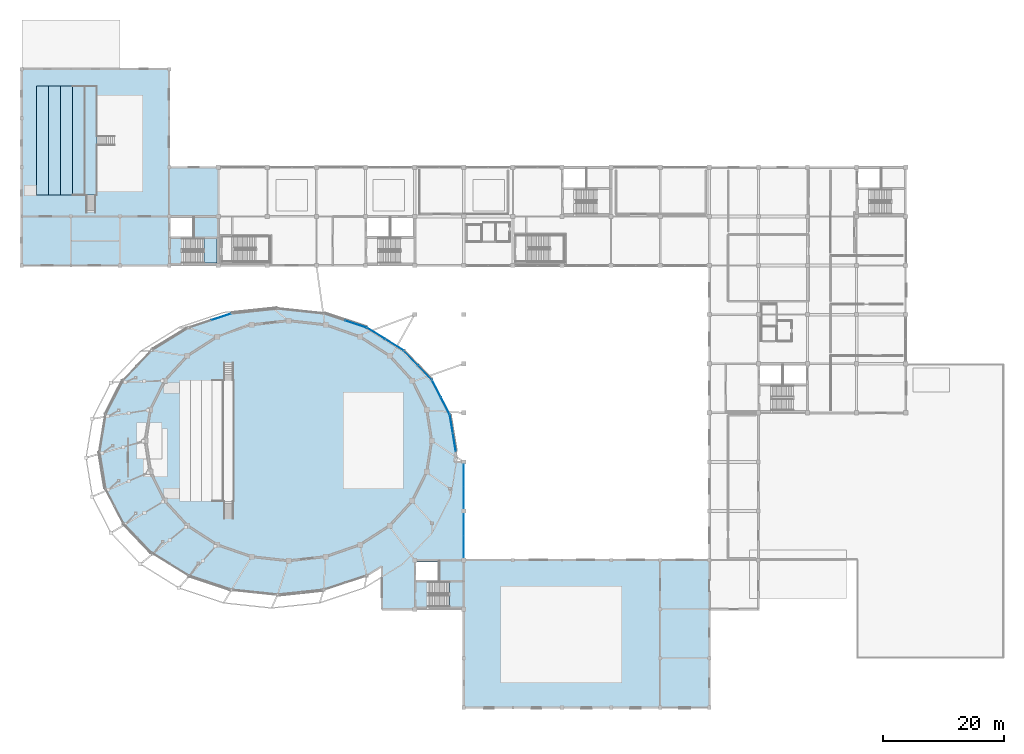
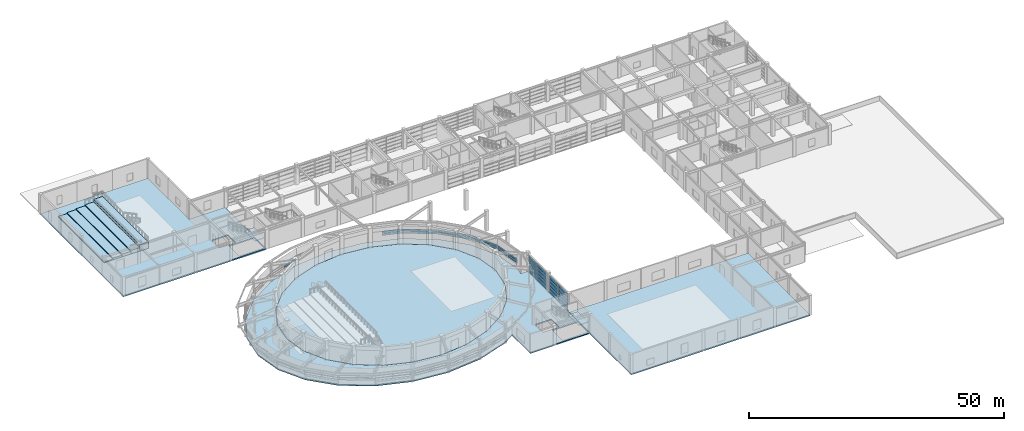
# One storey, part 32 of 56: 39 plates, 11 slabs, 10 elements without a shape of their own.
"""IFC4 building model written with IfcOpenShell, lengths in metres."""

from ifc_helpers import new_model, si_unit, direction, frame, origin, origin_2d, place, context, subcontext, project, spatial, polyline, rectangle, outline, extrude, material, layer, layer_set, type_object, element, aggregate, save


model = new_model("IFC4")

# Units and contexts
model_context = context("Model", 3, precision=1e-05, world=origin(), true_north=direction((0.0, 1.0)))
body_context = subcontext(model_context, "Body", "Model", "MODEL_VIEW")
ifc_project = project(units=[si_unit("LENGTHUNIT", "METRE"), si_unit("AREAUNIT", "SQUARE_METRE"), si_unit("VOLUMEUNIT", "CUBIC_METRE"), si_unit("PLANEANGLEUNIT", "RADIAN"), si_unit("MASSUNIT", "GRAM", prefix="KILO")], contexts=[model_context])

# Site, building, storey
site_placement = place(None, origin())
site = spatial("IfcSite", under=ifc_project, at=site_placement, CompositionType="ELEMENT")
building_placement = place(site_placement, origin())
building = spatial("IfcBuilding", under=site, at=building_placement, Name="Parian Resonance Hall", CompositionType="ELEMENT")
storey_placement = place(building_placement, frame((0.0, 0.0, 5.39990234375)))
storey = spatial("IfcBuildingStorey", under=building, at=storey_placement, Name="L01", CompositionType="ELEMENT", Elevation=5.39990234375)

# Curtain wall, plates
ifc_material_1 = material(Name="Bronze-anodised aluminium frame", Category="aluminium")
curtain_wall_type_1 = type_object("IfcCurtainWallType", Name="CW-SYS-03", PredefinedType="NOTDEFINED", material=ifc_material_1)
curtain_wall_1_placement = place(storey_placement, origin())
curtain_wall_1 = element("IfcCurtainWall", 1, at=curtain_wall_1_placement, inside=storey, type_object=curtain_wall_type_1, Name="Elliptical R1 recessed strip curtain wall 03", PredefinedType="NOTDEFINED")
ifc_material_2 = material(Name="Acoustic laminated double glazing", Category="glass")
ifc_layer_1 = layer(ifc_material_2, 0.02197265625)
ifc_layer_set_1 = layer_set([ifc_layer_1], Name="Acoustic laminated double glazing")
plate_type_1 = type_object("IfcPlateType", Name="CWP-IGU22", PredefinedType="CURTAIN_PANEL", material=ifc_layer_set_1)
plate_1_placement = place(storey_placement, frame((64.168212890625, 57.654052734375, 1.20703125), z_axis=(0.0, 0.0, 1.0), x_axis=(0.69099158608, -0.722862800238, 0.0)))
plate_1 = element("IfcPlate", 2, at=plate_1_placement, type_object=plate_type_1, Name="CW-03 panel 1.1", PredefinedType="CURTAIN_PANEL", context=body_context, shape_type="SweptSolid", body=[
    extrude(rectangle(XDim=3.283203125, YDim=0.02197265625, at=origin_2d()), origin(), (0.0, 0.0, 1.0), 0.510498046875),
])
plate_2_placement = place(storey_placement, frame((64.168212890625, 57.654052734375, 1.78271484375), z_axis=(0.0, 0.0, 1.0), x_axis=(0.69099158608, -0.722862800238, 0.0)))
plate_2 = element("IfcPlate", 3, at=plate_2_placement, type_object=plate_type_1, Name="CW-03 panel 1.2", PredefinedType="CURTAIN_PANEL", context=body_context, shape_type="SweptSolid", body=[
    extrude(rectangle(XDim=3.283203125, YDim=0.02197265625, at=origin_2d()), origin(), (0.0, 0.0, 1.0), 0.512451171875),
])
plate_3_placement = place(storey_placement, frame((66.48193359375, 55.233642578125, 1.20703125), z_axis=(0.0, 0.0, 1.0), x_axis=(0.69099158608, -0.722862800238, 0.0)))
plate_3 = element("IfcPlate", 4, at=plate_3_placement, type_object=plate_type_1, Name="CW-03 panel 2.1", PredefinedType="CURTAIN_PANEL", context=body_context, shape_type="SweptSolid", body=[
    extrude(rectangle(XDim=3.283203125, YDim=0.02197265625, at=origin_2d()), origin(), (0.0, 0.0, 1.0), 0.510498046875),
])
plate_4_placement = place(storey_placement, frame((66.48193359375, 55.233642578125, 1.78271484375), z_axis=(0.0, 0.0, 1.0), x_axis=(0.69099158608, -0.722862800238, 0.0)))
plate_4 = element("IfcPlate", 5, at=plate_4_placement, type_object=plate_type_1, Name="CW-03 panel 2.2", PredefinedType="CURTAIN_PANEL", context=body_context, shape_type="SweptSolid", body=[
    extrude(rectangle(XDim=3.283203125, YDim=0.02197265625, at=origin_2d()), origin(), (0.0, 0.0, 1.0), 0.512451171875),
])
aggregate(curtain_wall_1, [plate_1, plate_2, plate_3, plate_4])

ifc_material_3 = material(Name="Bronze-anodised aluminium frame", Category="aluminium")
curtain_wall_type_2 = type_object("IfcCurtainWallType", Name="CW-SYS-05", PredefinedType="NOTDEFINED", material=ifc_material_3)
curtain_wall_2_placement = place(storey_placement, origin())
curtain_wall_2 = element("IfcCurtainWall", 6, at=curtain_wall_2_placement, inside=storey, type_object=curtain_wall_type_2, Name="Curtain wall CW-L01-135", PredefinedType="NOTDEFINED")
plate_5_placement = place(storey_placement, frame((72.89990234375, 38.24365234375, 0.05712890625), z_axis=(0.0, 0.0, 1.0), x_axis=(0.0, -1.0, 0.0)))
plate_5 = element("IfcPlate", 7, at=plate_5_placement, type_object=plate_type_1, Name="CW-05 panel 1.1", PredefinedType="CURTAIN_PANEL", context=body_context, shape_type="SweptSolid", body=[
    extrude(rectangle(XDim=3.5224609375, YDim=0.02197265625, at=origin_2d()), origin(), (0.0, 0.0, 1.0), 0.743896484375),
])
plate_6_placement = place(storey_placement, frame((72.89990234375, 38.24365234375, 0.8662109375), z_axis=(0.0, 0.0, 1.0), x_axis=(0.0, -1.0, 0.0)))
plate_6 = element("IfcPlate", 8, at=plate_6_placement, type_object=plate_type_1, Name="CW-05 panel 1.2", PredefinedType="CURTAIN_PANEL", context=body_context, shape_type="SweptSolid", body=[
    extrude(rectangle(XDim=3.5224609375, YDim=0.02197265625, at=origin_2d()), origin(), (0.0, 0.0, 1.0), 0.768310546875),
])
plate_7_placement = place(storey_placement, frame((72.89990234375, 38.24365234375, 1.69921875), z_axis=(0.0, 0.0, 1.0), x_axis=(0.0, -1.0, 0.0)))
plate_7 = element("IfcPlate", 9, at=plate_7_placement, type_object=plate_type_1, Name="CW-05 panel 1.3", PredefinedType="CURTAIN_PANEL", context=body_context, shape_type="SweptSolid", body=[
    extrude(rectangle(XDim=3.5224609375, YDim=0.02197265625, at=origin_2d()), origin(), (0.0, 0.0, 1.0), 0.768310546875),
])
plate_8_placement = place(storey_placement, frame((72.89990234375, 38.24365234375, 2.53271484375), z_axis=(0.0, 0.0, 1.0), x_axis=(0.0, -1.0, 0.0)))
plate_8 = element("IfcPlate", 10, at=plate_8_placement, type_object=plate_type_1, Name="CW-05 panel 1.4", PredefinedType="CURTAIN_PANEL", context=body_context, shape_type="SweptSolid", body=[
    extrude(rectangle(XDim=3.5224609375, YDim=0.02197265625, at=origin_2d()), origin(), (0.0, 0.0, 1.0), 0.768310546875),
])
plate_9_placement = place(storey_placement, frame((72.89990234375, 38.24365234375, 3.3662109375), z_axis=(0.0, 0.0, 1.0), x_axis=(0.0, -1.0, 0.0)))
plate_9 = element("IfcPlate", 11, at=plate_9_placement, type_object=plate_type_1, Name="CW-05 panel 1.5", PredefinedType="CURTAIN_PANEL", context=body_context, shape_type="SweptSolid", body=[
    extrude(rectangle(XDim=3.5224609375, YDim=0.02197265625, at=origin_2d()), origin(), (0.0, 0.0, 1.0), 0.745849609375),
])
plate_10_placement = place(storey_placement, frame((72.89990234375, 34.65625, 0.05712890625), z_axis=(0.0, 0.0, 1.0), x_axis=(0.0, -1.0, 0.0)))
plate_10 = element("IfcPlate", 12, at=plate_10_placement, type_object=plate_type_1, Name="CW-05 panel 2.1", PredefinedType="CURTAIN_PANEL", context=body_context, shape_type="SweptSolid", body=[
    extrude(rectangle(XDim=3.5224609375, YDim=0.02197265625, at=origin_2d()), origin(), (0.0, 0.0, 1.0), 0.743896484375),
])
plate_11_placement = place(storey_placement, frame((72.89990234375, 34.65625, 0.8662109375), z_axis=(0.0, 0.0, 1.0), x_axis=(0.0, -1.0, 0.0)))
plate_11 = element("IfcPlate", 13, at=plate_11_placement, type_object=plate_type_1, Name="CW-05 panel 2.2", PredefinedType="CURTAIN_PANEL", context=body_context, shape_type="SweptSolid", body=[
    extrude(rectangle(XDim=3.5224609375, YDim=0.02197265625, at=origin_2d()), origin(), (0.0, 0.0, 1.0), 0.768310546875),
])
plate_12_placement = place(storey_placement, frame((72.89990234375, 34.65625, 1.69921875), z_axis=(0.0, 0.0, 1.0), x_axis=(0.0, -1.0, 0.0)))
plate_12 = element("IfcPlate", 14, at=plate_12_placement, type_object=plate_type_1, Name="CW-05 panel 2.3", PredefinedType="CURTAIN_PANEL", context=body_context, shape_type="SweptSolid", body=[
    extrude(rectangle(XDim=3.5224609375, YDim=0.02197265625, at=origin_2d()), origin(), (0.0, 0.0, 1.0), 0.768310546875),
])
plate_13_placement = place(storey_placement, frame((72.89990234375, 34.65625, 2.53271484375), z_axis=(0.0, 0.0, 1.0), x_axis=(0.0, -1.0, 0.0)))
plate_13 = element("IfcPlate", 15, at=plate_13_placement, type_object=plate_type_1, Name="CW-05 panel 2.4", PredefinedType="CURTAIN_PANEL", context=body_context, shape_type="SweptSolid", body=[
    extrude(rectangle(XDim=3.5224609375, YDim=0.02197265625, at=origin_2d()), origin(), (0.0, 0.0, 1.0), 0.768310546875),
])
plate_14_placement = place(storey_placement, frame((72.89990234375, 34.65625, 3.3662109375), z_axis=(0.0, 0.0, 1.0), x_axis=(0.0, -1.0, 0.0)))
plate_14 = element("IfcPlate", 16, at=plate_14_placement, type_object=plate_type_1, Name="CW-05 panel 2.5", PredefinedType="CURTAIN_PANEL", context=body_context, shape_type="SweptSolid", body=[
    extrude(rectangle(XDim=3.5224609375, YDim=0.02197265625, at=origin_2d()), origin(), (0.0, 0.0, 1.0), 0.745849609375),
])
aggregate(curtain_wall_2, [plate_5, plate_6, plate_7, plate_8, plate_9, plate_10, plate_11, plate_12, plate_13, plate_14])

ifc_material_4 = material(Name="Bronze-anodised aluminium frame", Category="aluminium")
curtain_wall_type_3 = type_object("IfcCurtainWallType", Name="CW-SYS-01", PredefinedType="NOTDEFINED", material=ifc_material_4)
curtain_wall_3_placement = place(storey_placement, origin())
curtain_wall_3 = element("IfcCurtainWall", 17, at=curtain_wall_3_placement, inside=storey, type_object=curtain_wall_type_3, Name="Elliptical R1 recessed strip curtain wall 01", PredefinedType="NOTDEFINED")
ifc_material_5 = material(Name="Acoustic laminated double glazing", Category="glass")
ifc_layer_2 = layer(ifc_material_5, 0.031982421875)
ifc_layer_set_2 = layer_set([ifc_layer_2], Name="Acoustic laminated double glazing")
plate_type_2 = type_object("IfcPlateType", Name="CWP-IGU32", PredefinedType="CURTAIN_PANEL", material=ifc_layer_set_2)
plate_15_placement = place(storey_placement, frame((70.851318359375, 46.76513671875, 1.20703125), z_axis=(0.0, 0.0, 1.0), x_axis=(0.161849307153, -0.986815485171, 0.0)))
plate_15 = element("IfcPlate", 18, at=plate_15_placement, type_object=plate_type_2, Name="CW-01 panel 1.1", PredefinedType="CURTAIN_PANEL", context=body_context, shape_type="SweptSolid", body=[
    extrude(rectangle(XDim=2.997314453125, YDim=0.031982421875, at=origin_2d()), origin(), (0.0, 0.0, 1.0), 0.510498046875),
])
plate_16_placement = place(storey_placement, frame((70.851318359375, 46.76513671875, 1.78271484375), z_axis=(0.0, 0.0, 1.0), x_axis=(0.161849307153, -0.986815485171, 0.0)))
plate_16 = element("IfcPlate", 19, at=plate_16_placement, type_object=plate_type_2, Name="CW-01 panel 1.2", PredefinedType="CURTAIN_PANEL", context=body_context, shape_type="SweptSolid", body=[
    extrude(rectangle(XDim=2.997314453125, YDim=0.031982421875, at=origin_2d()), origin(), (0.0, 0.0, 1.0), 0.512451171875),
])
plate_17_placement = place(storey_placement, frame((71.346923828125, 43.7431640625, 1.20703125), z_axis=(0.0, 0.0, 1.0), x_axis=(0.161849307153, -0.986815485171, 0.0)))
plate_17 = element("IfcPlate", 20, at=plate_17_placement, type_object=plate_type_2, Name="CW-01 panel 2.1", PredefinedType="CURTAIN_PANEL", context=body_context, shape_type="SweptSolid", body=[
    extrude(rectangle(XDim=2.997314453125, YDim=0.031982421875, at=origin_2d()), origin(), (0.0, 0.0, 1.0), 0.510498046875),
])
plate_18_placement = place(storey_placement, frame((71.346923828125, 43.7431640625, 1.78271484375), z_axis=(0.0, 0.0, 1.0), x_axis=(0.161849307153, -0.986815485171, 0.0)))
plate_18 = element("IfcPlate", 21, at=plate_18_placement, type_object=plate_type_2, Name="CW-01 panel 2.2", PredefinedType="CURTAIN_PANEL", context=body_context, shape_type="SweptSolid", body=[
    extrude(rectangle(XDim=2.997314453125, YDim=0.031982421875, at=origin_2d()), origin(), (0.0, 0.0, 1.0), 0.512451171875),
])
aggregate(curtain_wall_3, [plate_15, plate_16, plate_17, plate_18])

ifc_material_6 = material(Name="Bronze-anodised aluminium frame", Category="aluminium")
curtain_wall_type_4 = type_object("IfcCurtainWallType", Name="CW-SYS-04", PredefinedType="NOTDEFINED", material=ifc_material_6)
curtain_wall_4_placement = place(storey_placement, origin())
curtain_wall_4 = element("IfcCurtainWall", 22, at=curtain_wall_4_placement, inside=storey, type_object=curtain_wall_type_4, Name="Elliptical R1 recessed strip curtain wall 04", PredefinedType="NOTDEFINED")
plate_19_placement = place(storey_placement, frame((58.438232421875, 61.690673828125, 1.217041015625), z_axis=(0.0, 0.0, 1.0), x_axis=(0.85144074908, -0.524450808757, 0.0)))
plate_19 = element("IfcPlate", 23, at=plate_19_placement, type_object=plate_type_2, Name="CW-04 panel 1.1", PredefinedType="CURTAIN_PANEL", context=body_context, shape_type="SweptSolid", body=[
    extrude(rectangle(XDim=3.463134765625, YDim=0.031982421875, at=origin_2d()), origin(), (0.0, 0.0, 1.0), 0.49560546875),
])
plate_20_placement = place(storey_placement, frame((58.438232421875, 61.690673828125, 1.78759765625), z_axis=(0.0, 0.0, 1.0), x_axis=(0.85144074908, -0.524450808757, 0.0)))
plate_20 = element("IfcPlate", 24, at=plate_20_placement, type_object=plate_type_2, Name="CW-04 panel 1.2", PredefinedType="CURTAIN_PANEL", context=body_context, shape_type="SweptSolid", body=[
    extrude(rectangle(XDim=3.463134765625, YDim=0.031982421875, at=origin_2d()), origin(), (0.0, 0.0, 1.0), 0.49755859375),
])
plate_21_placement = place(storey_placement, frame((61.45068359375, 59.835205078125, 1.217041015625), z_axis=(0.0, 0.0, 1.0), x_axis=(0.85144074908, -0.524450808757, 0.0)))
plate_21 = element("IfcPlate", 25, at=plate_21_placement, type_object=plate_type_2, Name="CW-04 panel 2.1", PredefinedType="CURTAIN_PANEL", context=body_context, shape_type="SweptSolid", body=[
    extrude(rectangle(XDim=3.463134765625, YDim=0.031982421875, at=origin_2d()), origin(), (0.0, 0.0, 1.0), 0.49560546875),
])
plate_22_placement = place(storey_placement, frame((61.45068359375, 59.835205078125, 1.78759765625), z_axis=(0.0, 0.0, 1.0), x_axis=(0.85144074908, -0.524450808757, 0.0)))
plate_22 = element("IfcPlate", 26, at=plate_22_placement, type_object=plate_type_2, Name="CW-04 panel 2.2", PredefinedType="CURTAIN_PANEL", context=body_context, shape_type="SweptSolid", body=[
    extrude(rectangle(XDim=3.463134765625, YDim=0.031982421875, at=origin_2d()), origin(), (0.0, 0.0, 1.0), 0.49755859375),
])
aggregate(curtain_wall_4, [plate_19, plate_20, plate_21, plate_22])

ifc_material_7 = material(Name="Bronze-anodised aluminium frame", Category="aluminium")
curtain_wall_type_5 = type_object("IfcCurtainWallType", Name="CW-SYS-02", PredefinedType="NOTDEFINED", material=ifc_material_7)
curtain_wall_5_placement = place(storey_placement, origin())
curtain_wall_5 = element("IfcCurtainWall", 27, at=curtain_wall_5_placement, inside=storey, type_object=curtain_wall_type_5, Name="Elliptical R1 recessed strip curtain wall 02", PredefinedType="NOTDEFINED")
ifc_material_8 = material(Name="Acoustic laminated double glazing", Category="glass")
ifc_layer_3 = layer(ifc_material_8, 0.0419921875)
ifc_layer_set_3 = layer_set([ifc_layer_3], Name="Acoustic laminated double glazing")
plate_type_3 = type_object("IfcPlateType", Name="CWP-IGU42", PredefinedType="CURTAIN_PANEL", material=ifc_layer_set_3)
plate_23_placement = place(storey_placement, frame((68.404052734375, 52.560302734375, 1.217041015625), z_axis=(0.0, 0.0, 1.0), x_axis=(0.458562185702, -0.888662321607, 0.0)))
plate_23 = element("IfcPlate", 28, at=plate_23_placement, type_object=plate_type_3, Name="CW-02 panel 1.1", PredefinedType="CURTAIN_PANEL", context=body_context, shape_type="SweptSolid", body=[
    extrude(rectangle(XDim=3.090087890625, YDim=0.0419921875, at=origin_2d()), origin(), (0.0, 0.0, 1.0), 0.49560546875),
])
plate_24_placement = place(storey_placement, frame((68.404052734375, 52.560302734375, 1.78759765625), z_axis=(0.0, 0.0, 1.0), x_axis=(0.458562185702, -0.888662321607, 0.0)))
plate_24 = element("IfcPlate", 29, at=plate_24_placement, type_object=plate_type_3, Name="CW-02 panel 1.2", PredefinedType="CURTAIN_PANEL", context=body_context, shape_type="SweptSolid", body=[
    extrude(rectangle(XDim=3.090087890625, YDim=0.0419921875, at=origin_2d()), origin(), (0.0, 0.0, 1.0), 0.49755859375),
])
plate_25_placement = place(storey_placement, frame((69.855224609375, 49.747802734375, 1.217041015625), z_axis=(0.0, 0.0, 1.0), x_axis=(0.458562185702, -0.888662321607, 0.0)))
plate_25 = element("IfcPlate", 30, at=plate_25_placement, type_object=plate_type_3, Name="CW-02 panel 2.1", PredefinedType="CURTAIN_PANEL", context=body_context, shape_type="SweptSolid", body=[
    extrude(rectangle(XDim=3.090087890625, YDim=0.0419921875, at=origin_2d()), origin(), (0.0, 0.0, 1.0), 0.49560546875),
])
plate_26_placement = place(storey_placement, frame((69.855224609375, 49.747802734375, 1.78759765625), z_axis=(0.0, 0.0, 1.0), x_axis=(0.458562185702, -0.888662321607, 0.0)))
plate_26 = element("IfcPlate", 31, at=plate_26_placement, type_object=plate_type_3, Name="CW-02 panel 2.2", PredefinedType="CURTAIN_PANEL", context=body_context, shape_type="SweptSolid", body=[
    extrude(rectangle(XDim=3.090087890625, YDim=0.0419921875, at=origin_2d()), origin(), (0.0, 0.0, 1.0), 0.49755859375),
])
aggregate(curtain_wall_5, [plate_23, plate_24, plate_25, plate_26])

curtain_wall_6_placement = place(storey_placement, origin())
curtain_wall_6 = element("IfcCurtainWall", 32, at=curtain_wall_6_placement, inside=storey, type_object=curtain_wall_type_2, Name="Elliptical R1 recessed strip curtain wall 05", PredefinedType="NOTDEFINED")
plate_27_placement = place(storey_placement, frame((55.11181640625, 63.232666015625, 1.20703125), z_axis=(0.0, 0.0, 1.0), x_axis=(0.948922575043, -0.315509027722, 0.0)))
plate_27 = element("IfcPlate", 33, at=plate_27_placement, type_object=plate_type_3, Name="CW-05 panel 2.1", PredefinedType="CURTAIN_PANEL", context=body_context, shape_type="SweptSolid", body=[
    extrude(rectangle(XDim=3.638671875, YDim=0.0419921875, at=origin_2d()), origin(), (0.0, 0.0, 1.0), 0.510498046875),
])
plate_28_placement = place(storey_placement, frame((55.11181640625, 63.232666015625, 1.78271484375), z_axis=(0.0, 0.0, 1.0), x_axis=(0.948922575043, -0.315509027722, 0.0)))
plate_28 = element("IfcPlate", 34, at=plate_28_placement, type_object=plate_type_3, Name="CW-05 panel 2.2", PredefinedType="CURTAIN_PANEL", context=body_context, shape_type="SweptSolid", body=[
    extrude(rectangle(XDim=3.638671875, YDim=0.0419921875, at=origin_2d()), origin(), (0.0, 0.0, 1.0), 0.512451171875),
])
aggregate(curtain_wall_6, [plate_27, plate_28])

# Curtain wall, plate
curtain_wall_7_placement = place(storey_placement, origin())
curtain_wall_7 = element("IfcCurtainWall", 35, at=curtain_wall_7_placement, inside=storey, type_object=curtain_wall_type_5, Name="Elliptical R1 recessed strip curtain wall 08", PredefinedType="NOTDEFINED")
plate_29_placement = place(storey_placement, frame((32.87744140625, 64.426025390625, 1.217041015625), z_axis=(0.0, 0.0, 1.0), x_axis=(0.948923675154, 0.315505719015, 0.0)))
plate_29 = element("IfcPlate", 36, at=plate_29_placement, type_object=plate_type_3, Name="CW-02 panel 2.1", PredefinedType="CURTAIN_PANEL", context=body_context, shape_type="SweptSolid", body=[
    extrude(rectangle(XDim=3.461181640625, YDim=0.0419921875, at=origin_2d()), origin(), (0.0, 0.0, 1.0), 0.49560546875),
])
aggregate(curtain_wall_7, [plate_29])

# Curtain wall, plates
curtain_wall_8_placement = place(storey_placement, origin())
curtain_wall_8 = element("IfcCurtainWall", 37, at=curtain_wall_8_placement, inside=storey, type_object=curtain_wall_type_4, Name="Curtain wall CW-L01-131", PredefinedType="NOTDEFINED")
plate_30_placement = place(storey_placement, frame((72.89990234375, 30.143798828125, 0.05712890625), z_axis=(0.0, 0.0, 1.0), x_axis=(0.0, -1.0, 0.0)))
plate_30 = element("IfcPlate", 38, at=plate_30_placement, type_object=plate_type_3, Name="CW-04 panel 1.1", PredefinedType="CURTAIN_PANEL", context=body_context, shape_type="SweptSolid", body=[
    extrude(rectangle(XDim=3.5224609375, YDim=0.0419921875, at=origin_2d()), origin(), (0.0, 0.0, 1.0), 0.743896484375),
])
plate_31_placement = place(storey_placement, frame((72.89990234375, 30.143798828125, 0.8662109375), z_axis=(0.0, 0.0, 1.0), x_axis=(0.0, -1.0, 0.0)))
plate_31 = element("IfcPlate", 39, at=plate_31_placement, type_object=plate_type_3, Name="CW-04 panel 1.2", PredefinedType="CURTAIN_PANEL", context=body_context, shape_type="SweptSolid", body=[
    extrude(rectangle(XDim=3.5224609375, YDim=0.0419921875, at=origin_2d()), origin(), (0.0, 0.0, 1.0), 0.768310546875),
])
plate_32_placement = place(storey_placement, frame((72.89990234375, 30.143798828125, 1.69921875), z_axis=(0.0, 0.0, 1.0), x_axis=(0.0, -1.0, 0.0)))
plate_32 = element("IfcPlate", 40, at=plate_32_placement, type_object=plate_type_3, Name="CW-04 panel 1.3", PredefinedType="CURTAIN_PANEL", context=body_context, shape_type="SweptSolid", body=[
    extrude(rectangle(XDim=3.5224609375, YDim=0.0419921875, at=origin_2d()), origin(), (0.0, 0.0, 1.0), 0.768310546875),
])
plate_33_placement = place(storey_placement, frame((72.89990234375, 30.143798828125, 2.53271484375), z_axis=(0.0, 0.0, 1.0), x_axis=(0.0, -1.0, 0.0)))
plate_33 = element("IfcPlate", 41, at=plate_33_placement, type_object=plate_type_3, Name="CW-04 panel 1.4", PredefinedType="CURTAIN_PANEL", context=body_context, shape_type="SweptSolid", body=[
    extrude(rectangle(XDim=3.5224609375, YDim=0.0419921875, at=origin_2d()), origin(), (0.0, 0.0, 1.0), 0.768310546875),
])
plate_34_placement = place(storey_placement, frame((72.89990234375, 30.143798828125, 3.3662109375), z_axis=(0.0, 0.0, 1.0), x_axis=(0.0, -1.0, 0.0)))
plate_34 = element("IfcPlate", 42, at=plate_34_placement, type_object=plate_type_3, Name="CW-04 panel 1.5", PredefinedType="CURTAIN_PANEL", context=body_context, shape_type="SweptSolid", body=[
    extrude(rectangle(XDim=3.5224609375, YDim=0.0419921875, at=origin_2d()), origin(), (0.0, 0.0, 1.0), 0.745849609375),
])
plate_35_placement = place(storey_placement, frame((72.89990234375, 26.55615234375, 0.05712890625), z_axis=(0.0, 0.0, 1.0), x_axis=(0.0, -1.0, 0.0)))
plate_35 = element("IfcPlate", 43, at=plate_35_placement, type_object=plate_type_3, Name="CW-04 panel 2.1", PredefinedType="CURTAIN_PANEL", context=body_context, shape_type="SweptSolid", body=[
    extrude(rectangle(XDim=3.5224609375, YDim=0.0419921875, at=origin_2d()), origin(), (0.0, 0.0, 1.0), 0.743896484375),
])
plate_36_placement = place(storey_placement, frame((72.89990234375, 26.55615234375, 0.8662109375), z_axis=(0.0, 0.0, 1.0), x_axis=(0.0, -1.0, 0.0)))
plate_36 = element("IfcPlate", 44, at=plate_36_placement, type_object=plate_type_3, Name="CW-04 panel 2.2", PredefinedType="CURTAIN_PANEL", context=body_context, shape_type="SweptSolid", body=[
    extrude(rectangle(XDim=3.5224609375, YDim=0.0419921875, at=origin_2d()), origin(), (0.0, 0.0, 1.0), 0.768310546875),
])
plate_37_placement = place(storey_placement, frame((72.89990234375, 26.55615234375, 1.69921875), z_axis=(0.0, 0.0, 1.0), x_axis=(0.0, -1.0, 0.0)))
plate_37 = element("IfcPlate", 45, at=plate_37_placement, type_object=plate_type_3, Name="CW-04 panel 2.3", PredefinedType="CURTAIN_PANEL", context=body_context, shape_type="SweptSolid", body=[
    extrude(rectangle(XDim=3.5224609375, YDim=0.0419921875, at=origin_2d()), origin(), (0.0, 0.0, 1.0), 0.768310546875),
])
plate_38_placement = place(storey_placement, frame((72.89990234375, 26.55615234375, 2.53271484375), z_axis=(0.0, 0.0, 1.0), x_axis=(0.0, -1.0, 0.0)))
plate_38 = element("IfcPlate", 46, at=plate_38_placement, type_object=plate_type_3, Name="CW-04 panel 2.4", PredefinedType="CURTAIN_PANEL", context=body_context, shape_type="SweptSolid", body=[
    extrude(rectangle(XDim=3.5224609375, YDim=0.0419921875, at=origin_2d()), origin(), (0.0, 0.0, 1.0), 0.768310546875),
])
plate_39_placement = place(storey_placement, frame((72.89990234375, 26.55615234375, 3.3662109375), z_axis=(0.0, 0.0, 1.0), x_axis=(0.0, -1.0, 0.0)))
plate_39 = element("IfcPlate", 47, at=plate_39_placement, type_object=plate_type_3, Name="CW-04 panel 2.5", PredefinedType="CURTAIN_PANEL", context=body_context, shape_type="SweptSolid", body=[
    extrude(rectangle(XDim=3.5224609375, YDim=0.0419921875, at=origin_2d()), origin(), (0.0, 0.0, 1.0), 0.745849609375),
])
aggregate(curtain_wall_8, [plate_30, plate_31, plate_32, plate_33, plate_34, plate_35, plate_36, plate_37, plate_38, plate_39])

# Slabs
ifc_material_9 = material(Name="Concrete C35/45", Category="concrete")
ifc_layer_4 = layer(ifc_material_9, 0.27001953125)
ifc_layer_set_4 = layer_set([ifc_layer_4], Name="Concrete C35/45")
slab_type_1 = type_object("IfcSlabType", Name="SLB-FLR-270", PredefinedType="FLOOR", material=ifc_layer_set_4)
slab_1_placement = place(storey_placement, frame((0.0, 0.0, -0.27001953125)))
element("IfcSlab", 48, at=slab_1_placement, inside=storey, type_object=slab_type_1, Name="Elliptical Ring 1 foyer floor slab", PredefinedType="FLOOR", context=body_context, shape_type="SweptSolid", body=[
    extrude(outline(polyline([(72.89990234375, 16.199951171875), (72.89990234375, 40.5), (71.3212890625, 40.5), (71.60009765625, 42.199951171875), (70.59814453125, 48.30810546875), (67.6611328125, 54.0), (62.989013671875, 58.8876953125), (56.89990234375, 62.63818359375), (49.809326171875, 64.995849609375), (42.199951171875, 65.800048828125), (34.5908203125, 64.995849609375), (27.5, 62.63818359375), (21.4111328125, 58.8876953125), (16.739013671875, 54.0), (13.8017578125, 48.30810546875), (12.800048828125, 42.199951171875), (13.8017578125, 36.091796875), (16.739013671875, 30.39990234375), (21.4111328125, 25.51220703125), (27.5, 21.76171875), (34.5908203125, 19.404296875), (42.199951171875, 18.60009765625), (49.809326171875, 19.404296875), (56.89990234375, 21.76171875), (59.39990234375, 23.3017578125), (59.39990234375, 16.199951171875), (72.89990234375, 16.199951171875)]), holes=[polyline([(66.7958984375, 49.12451171875), (67.60009765625, 44.0), (66.7958984375, 38.87548828125), (64.438232421875, 34.10009765625), (60.687744140625, 29.999267578125), (55.800048828125, 26.852783203125), (50.108154296875, 24.874755859375), (44.0, 24.199951171875), (37.891845703125, 24.874755859375), (32.199951171875, 26.852783203125), (27.312255859375, 29.999267578125), (23.561767578125, 34.10009765625), (21.2041015625, 38.87548828125), (20.39990234375, 44.0), (21.2041015625, 49.12451171875), (23.561767578125, 53.89990234375), (27.312255859375, 58.000732421875), (32.199951171875, 61.147216796875), (37.891845703125, 63.125244140625), (44.0, 63.800048828125), (50.108154296875, 63.125244140625), (55.800048828125, 61.147216796875), (60.687744140625, 58.000732421875), (64.438232421875, 53.89990234375), (66.7958984375, 49.12451171875)]), polyline([(66.9951171875, 20.699951171875), (72.760009765625, 20.699951171875), (72.760009765625, 16.60009765625), (66.9951171875, 16.60009765625), (66.9951171875, 20.699951171875)]), polyline([(65.0400390625, 24.0), (68.699951171875, 24.0), (68.699951171875, 20.949951171875), (65.0400390625, 20.949951171875), (65.0400390625, 24.0)])]), origin(), (0.0, 0.0, 1.0), 0.27001953125),
])
ifc_material_10 = material(Name="Concrete C35/45", Category="concrete")
ifc_layer_5 = layer(ifc_material_10, 0.300048828125)
ifc_layer_set_5 = layer_set([ifc_layer_5], Name="Concrete C35/45")
slab_type_2 = type_object("IfcSlabType", Name="SLB-FLR-300", PredefinedType="FLOOR", material=ifc_layer_set_5)
slab_2_placement = place(storey_placement, frame((0.0, 0.0, -0.2998046875)))
element("IfcSlab", 49, at=slab_2_placement, inside=storey, type_object=slab_type_2, Name="Chamber Music Hall floor slab", PredefinedType="FLOOR", context=body_context, shape_type="SweptSolid", body=[
    extrude(outline(polyline([(32.39990234375, 89.10009765625), (24.300048828125, 89.10009765625), (24.300048828125, 105.300048828125), (0.0, 105.300048828125), (0.0, 72.89990234375), (24.300048828125, 72.89990234375), (32.39990234375, 72.89990234375), (32.39990234375, 89.10009765625)]), holes=[polyline([(26.47509765625, 77.360107421875), (32.219970703125, 77.360107421875), (32.219970703125, 73.300048828125), (26.47509765625, 73.300048828125), (26.47509765625, 77.360107421875)]), polyline([(24.5400390625, 80.699951171875), (28.199951171875, 80.699951171875), (28.199951171875, 77.64990234375), (24.5400390625, 77.64990234375), (24.5400390625, 80.699951171875)])]), origin(), (0.0, 0.0, 1.0), 0.2998046875),
])
slab_3_placement = place(storey_placement, frame((0.0, 0.0, -0.2998046875)))
element("IfcSlab", 50, at=slab_3_placement, inside=storey, type_object=slab_type_2, Name="Orchestra Rehearsal Room floor slab", PredefinedType="FLOOR", context=body_context, shape_type="SweptSolid", body=[
    extrude(outline(polyline([(72.89990234375, 0.0), (113.39990234375, 0.0), (113.39990234375, 24.300048828125), (72.89990234375, 24.300048828125), (72.89990234375, 0.0)])), origin(), (0.0, 0.0, 1.0), 0.2998046875),
])
ifc_material_11 = material(Name="Concrete C35/45", Category="concrete")
ifc_layer_6 = layer(ifc_material_11, 0.340087890625)
ifc_layer_set_6 = layer_set([ifc_layer_6], Name="Concrete C35/45")
slab_type_3 = type_object("IfcSlabType", Name="SLB-FLR-340", PredefinedType="FLOOR", material=ifc_layer_set_6)
slab_4_placement = place(storey_placement, frame((0.0, 0.0, -0.33984375)))
element("IfcSlab", 51, at=slab_4_placement, inside=storey, type_object=slab_type_3, Name="Main Concert Hall acoustic isolated floor slab", PredefinedType="FLOOR", context=body_context, shape_type="SweptSolid", body=[
    extrude(outline(polyline([(67.60009765625, 44.0), (66.7958984375, 49.12451171875), (64.438232421875, 53.89990234375), (60.687744140625, 58.000732421875), (55.800048828125, 61.147216796875), (50.108154296875, 63.125244140625), (44.0, 63.800048828125), (37.891845703125, 63.125244140625), (32.199951171875, 61.147216796875), (27.312255859375, 58.000732421875), (23.561767578125, 53.89990234375), (21.2041015625, 49.12451171875), (20.39990234375, 44.0), (21.2041015625, 38.87548828125), (23.561767578125, 34.10009765625), (27.312255859375, 29.999267578125), (32.199951171875, 26.852783203125), (37.891845703125, 24.874755859375), (44.0, 24.199951171875), (50.108154296875, 24.874755859375), (55.800048828125, 26.852783203125), (60.687744140625, 29.999267578125), (64.438232421875, 34.10009765625), (66.7958984375, 38.87548828125), (67.60009765625, 44.0)])), origin(), (0.0, 0.0, 1.0), 0.33984375),
])

# Stair, slab
ifc_material_12 = material(Name="Concrete C40/50", Category="concrete")
stair_type_1 = type_object("IfcStairType", Name="STAIR-CORE-1850", PredefinedType="HALF_TURN_STAIR", material=ifc_material_12)
stair_1_placement = place(storey_placement, origin())
stair_1 = element("IfcStair", 52, at=stair_1_placement, inside=storey, type_object=stair_type_1, Name="L01 ST-03", PredefinedType="HALF_TURN_STAIR")
ifc_material_13 = material(Name="Concrete C40/50", Category="concrete")
ifc_layer_7 = layer(ifc_material_13, 0.199951171875)
ifc_layer_set_7 = layer_set([ifc_layer_7], Name="Concrete C40/50")
slab_type_4 = type_object("IfcSlabType", Name="SLB-LANDING-200", PredefinedType="LANDING", material=ifc_layer_set_7)
slab_5_placement = place(storey_placement, frame((0.0, 0.0, 2.2001953125)))
slab_5 = element("IfcSlab", 53, at=slab_5_placement, type_object=slab_type_4, Name="ST-03 landing 1", PredefinedType="LANDING", context=body_context, shape_type="SweptSolid", body=[
    extrude(outline(polyline([(70.580078125, 16.60009765625), (72.760009765625, 16.60009765625), (72.760009765625, 20.699951171875), (70.580078125, 20.699951171875), (70.580078125, 16.60009765625)])), origin(), (0.0, 0.0, 1.0), 0.199951171875),
])
aggregate(stair_1, [slab_5])

ifc_material_14 = material(Name="Concrete C40/50", Category="concrete")
stair_type_2 = type_object("IfcStairType", Name="STAIR-CORE-1800", PredefinedType="HALF_TURN_STAIR", material=ifc_material_14)
stair_2_placement = place(storey_placement, origin())
stair_2 = element("IfcStair", 54, at=stair_2_placement, inside=storey, type_object=stair_type_2, Name="L01 ST-04", PredefinedType="HALF_TURN_STAIR")
slab_6_placement = place(storey_placement, frame((0.0, 0.0, 2.2001953125)))
slab_6 = element("IfcSlab", 55, at=slab_6_placement, type_object=slab_type_4, Name="ST-04 landing 1", PredefinedType="LANDING", context=body_context, shape_type="SweptSolid", body=[
    extrude(outline(polyline([(30.06005859375, 73.300048828125), (32.219970703125, 73.300048828125), (32.219970703125, 77.360107421875), (30.06005859375, 77.360107421875), (30.06005859375, 73.300048828125)])), origin(), (0.0, 0.0, 1.0), 0.199951171875),
])
aggregate(stair_2, [slab_6])

# Slabs
ifc_material_15 = material(Name="Concrete C35/45", Category="concrete")
ifc_layer_8 = layer(ifc_material_15, 1.5)
ifc_layer_set_8 = layer_set([ifc_layer_8], Name="Concrete C35/45")
slab_type_5 = type_object("IfcSlabType", Name="SLB-TIER-1500", PredefinedType="USERDEFINED", material=ifc_layer_set_8)
slab_7_placement = place(storey_placement, origin())
element("IfcSlab", 56, at=slab_7_placement, inside=storey, type_object=slab_type_5, Name="Chamber Music Hall seating tier 5", ObjectType="SEATING TIER", PredefinedType="USERDEFINED", context=body_context, shape_type="SweptSolid", body=[
    extrude(outline(polyline([(10.39990234375, 84.5), (12.39990234375, 84.5), (12.39990234375, 102.5), (10.39990234375, 102.5), (10.39990234375, 84.5)])), origin(), (0.0, 0.0, 1.0), 1.5),
])
ifc_material_16 = material(Name="Concrete C35/45", Category="concrete")
ifc_layer_9 = layer(ifc_material_16, 0.2099609375)
ifc_layer_set_9 = layer_set([ifc_layer_9], Name="Concrete C35/45")
slab_type_6 = type_object("IfcSlabType", Name="SLB-TIER-210", PredefinedType="USERDEFINED", material=ifc_layer_set_9)
slab_8_placement = place(storey_placement, origin())
element("IfcSlab", 57, at=slab_8_placement, inside=storey, type_object=slab_type_6, Name="Chamber Music Hall seating tier 1", ObjectType="SEATING TIER", PredefinedType="USERDEFINED", context=body_context, shape_type="SweptSolid", body=[
    extrude(outline(polyline([(2.39990234375, 84.5), (4.39990234375, 84.5), (4.39990234375, 102.5), (2.39990234375, 102.5), (2.39990234375, 84.5)])), origin(), (0.0, 0.0, 1.0), 0.210205078125),
])
ifc_material_17 = material(Name="Concrete C35/45", Category="concrete")
ifc_layer_10 = layer(ifc_material_17, 0.429931640625)
ifc_layer_set_10 = layer_set([ifc_layer_10], Name="Concrete C35/45")
slab_type_7 = type_object("IfcSlabType", Name="SLB-TIER-430", PredefinedType="USERDEFINED", material=ifc_layer_set_10)
slab_9_placement = place(storey_placement, origin())
element("IfcSlab", 58, at=slab_9_placement, inside=storey, type_object=slab_type_7, Name="Chamber Music Hall seating tier 2", ObjectType="SEATING TIER", PredefinedType="USERDEFINED", context=body_context, shape_type="SweptSolid", body=[
    extrude(outline(polyline([(4.340087890625, 84.5), (6.39990234375, 84.5), (6.39990234375, 102.5), (4.340087890625, 102.5), (4.340087890625, 84.5)])), origin(), (0.0, 0.0, 1.0), 0.43017578125),
])
ifc_material_18 = material(Name="Concrete C35/45", Category="concrete")
ifc_layer_11 = layer(ifc_material_18, 0.64990234375)
ifc_layer_set_11 = layer_set([ifc_layer_11], Name="Concrete C35/45")
slab_type_8 = type_object("IfcSlabType", Name="SLB-TIER-650", PredefinedType="USERDEFINED", material=ifc_layer_set_11)
slab_10_placement = place(storey_placement, origin())
element("IfcSlab", 59, at=slab_10_placement, inside=storey, type_object=slab_type_8, Name="Chamber Music Hall seating tier 3", ObjectType="SEATING TIER", PredefinedType="USERDEFINED", context=body_context, shape_type="SweptSolid", body=[
    extrude(outline(polyline([(6.39990234375, 84.5), (8.39990234375, 84.5), (8.39990234375, 102.5), (6.39990234375, 102.5), (6.39990234375, 84.5)])), origin(), (0.0, 0.0, 1.0), 0.650146484375),
])
ifc_material_19 = material(Name="Concrete C35/45", Category="concrete")
ifc_layer_12 = layer(ifc_material_19, 0.8701171875)
ifc_layer_set_12 = layer_set([ifc_layer_12], Name="Concrete C35/45")
slab_type_9 = type_object("IfcSlabType", Name="SLB-TIER-870", PredefinedType="USERDEFINED", material=ifc_layer_set_12)
slab_11_placement = place(storey_placement, origin())
element("IfcSlab", 60, at=slab_11_placement, inside=storey, type_object=slab_type_9, Name="Chamber Music Hall seating tier 4", ObjectType="SEATING TIER", PredefinedType="USERDEFINED", context=body_context, shape_type="SweptSolid", body=[
    extrude(outline(polyline([(8.39990234375, 84.5), (10.39990234375, 84.5), (10.39990234375, 102.5), (8.39990234375, 102.5), (8.39990234375, 84.5)])), origin(), (0.0, 0.0, 1.0), 0.8701171875),
])

save(model, "model.ifc")
